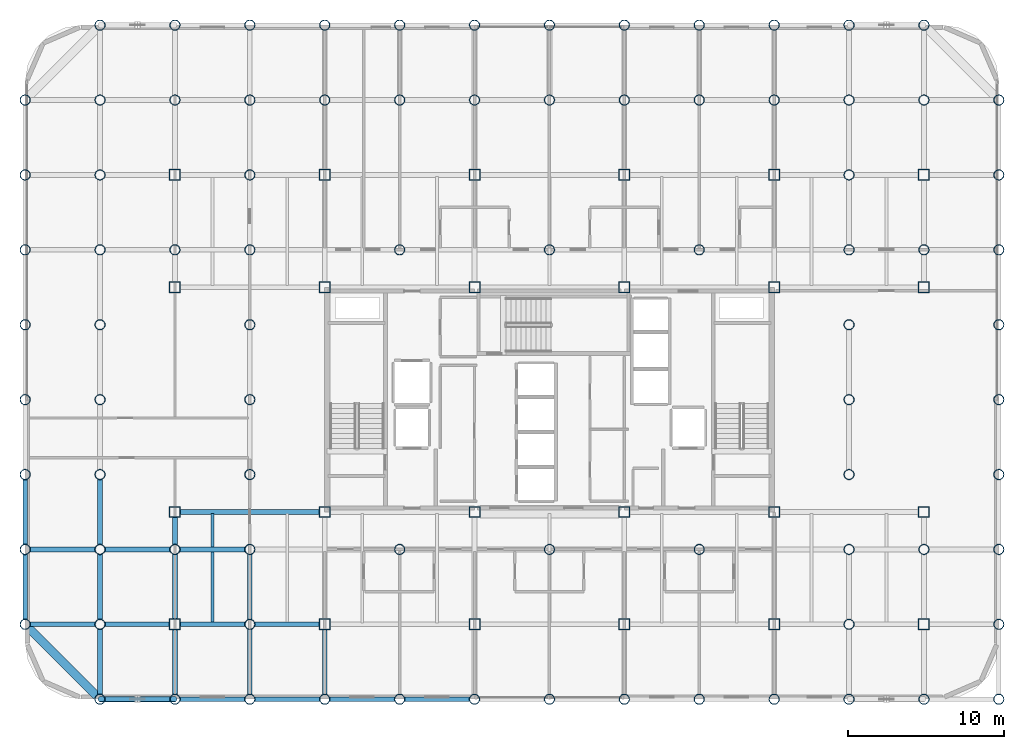
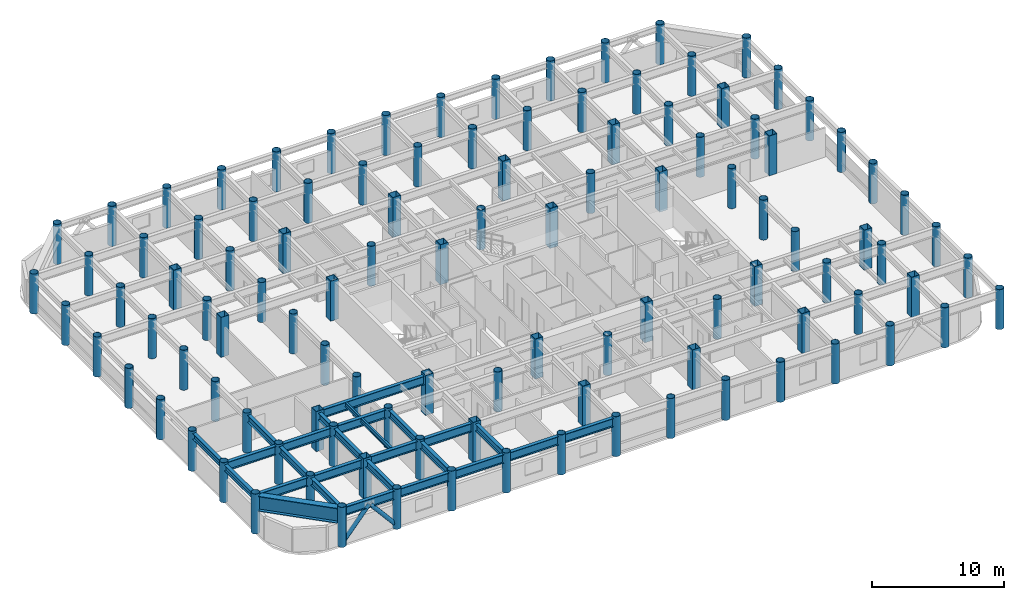
# One storey, part 1 of 20: 108 columns, 26 beams, 2 members.
"""IFC4 building model written with IfcOpenShell, lengths in metres."""

from ifc_helpers import new_model, si_unit, direction, frame, origin, origin_2d, place, context, subcontext, project, spatial, hollow_rectangle, hollow_circle, i_section, extrude, material, material_profile, profile_set, type_object, element, save


model = new_model("IFC4")

# Units and contexts
model_context = context("Model", 3, precision=1e-05, world=origin(), true_north=direction((0.0, 1.0)))
body_context = subcontext(model_context, "Body", "Model", "MODEL_VIEW")
ifc_project = project(units=[si_unit("LENGTHUNIT", "METRE"), si_unit("AREAUNIT", "SQUARE_METRE"), si_unit("VOLUMEUNIT", "CUBIC_METRE"), si_unit("PLANEANGLEUNIT", "RADIAN"), si_unit("MASSUNIT", "GRAM", prefix="KILO")], contexts=[model_context])

# Site, building, storey
site_placement = place(None, origin())
site = spatial("IfcSite", under=ifc_project, at=site_placement, CompositionType="ELEMENT")
building_placement = place(site_placement, origin())
building = spatial("IfcBuilding", under=site, at=building_placement, Name="Kallvorn Hotel Tower", CompositionType="ELEMENT")
storey_placement = place(building_placement, frame((0.0, 0.0, 128.5)))
storey = spatial("IfcBuildingStorey", under=building, at=storey_placement, Name="L31", CompositionType="ELEMENT", Elevation=128.5)

# Columns
ifc_material_1 = material(Name="Structural steel S355J2H", Category="steel")
ifc_material_profile_1 = material_profile(ifc_material_1, hollow_circle(Radius=0.330078125, WallThickness=0.028076171875, at=origin_2d()), Name="CHS 660x28")
ifc_profile_set_1 = profile_set([ifc_material_profile_1], Name="Structural steel S355J2H")
column_type_1 = type_object("IfcColumnType", Name="COL_CHS_660", PredefinedType="COLUMN", material=ifc_profile_set_1)
for number, where, z_axis, x_axis, name in (
    (1, (-33.60009765625, -14.39990234375, 0.0), (0.0, 0.0, 1.0), (1.0, 0.0, 0.0), "L31 Exoskeleton Column EC01"),
    (2, (-33.60009765625, -9.60009765625, 0.0), (0.0, 0.0, 1.0), (1.0, 0.0, 0.0), "L31 Exoskeleton Column EC02"),
    (3, (-33.60009765625, -4.800048828125, 0.0), (0.0, 0.0, 1.0), (1.0, 0.0, 0.0), "L31 Exoskeleton Column EC03"),
    (4, (-33.60009765625, 0.0, 0.0), (0.0, 0.0, 1.0), (1.0, 0.0, 0.0), "L31 Exoskeleton Column EC04"),
    (5, (-33.60009765625, 4.800048828125, 0.0), (0.0, 0.0, 1.0), (1.0, 0.0, 0.0), "L31 Exoskeleton Column EC05"),
    (6, (-33.60009765625, 9.60009765625, 0.0), (0.0, 0.0, 1.0), (1.0, 0.0, 0.0), "L31 Exoskeleton Column EC06"),
    (7, (-33.60009765625, 14.39990234375, 0.0), (0.0, 0.0, 1.0), (1.0, 0.0, 0.0), "L31 Exoskeleton Column EC07"),
    (8, (-33.60009765625, 19.199951171875, 0.0), (0.0, 0.0, 1.0), (1.0, 0.0, 0.0), "L31 Exoskeleton Column EC08"),
    (9, (-28.800048828125, -19.199951171875, 0.0), (0.0, 0.0, 1.0), (1.0, 0.0, 0.0), "L31 Exoskeleton Column EC09"),
    (10, (-28.800048828125, -14.39990234375, 0.0), (0.0, 0.0, 1.0), (1.0, 0.0, 0.0), "L31 Exoskeleton Column EC10"),
    (11, (-28.800048828125, -9.60009765625, 0.0), (0.0, 0.0, 1.0), (1.0, 0.0, 0.0), "L31 Exoskeleton Column EC11"),
    (12, (-28.800048828125, -4.800048828125, 0.0), (0.0, 0.0, 1.0), (1.0, 0.0, 0.0), "L31 Exoskeleton Column EC12"),
    (13, (-28.800048828125, 0.0, 0.0), (0.0, 0.0, 1.0), (1.0, 0.0, 0.0), "L31 Exoskeleton Column EC13"),
    (14, (-28.800048828125, 4.800048828125, 0.0), (0.0, 0.0, 1.0), (1.0, 0.0, 0.0), "L31 Exoskeleton Column EC14"),
    (15, (-28.800048828125, 9.60009765625, 0.0), (0.0, 0.0, 1.0), (1.0, 0.0, 0.0), "L31 Exoskeleton Column EC15"),
    (16, (-28.800048828125, 14.39990234375, 0.0), (0.0, 0.0, 1.0), (1.0, 0.0, 0.0), "L31 Exoskeleton Column EC16"),
    (17, (-28.800048828125, 19.199951171875, 0.0), (0.0, 0.0, 1.0), (1.0, 0.0, 0.0), "L31 Exoskeleton Column EC17"),
    (18, (-28.800048828125, 24.0, 0.0), (0.0, 0.0, 1.0), (1.0, 0.0, 0.0), "L31 Exoskeleton Column EC18"),
    (19, (-24.0, -19.199951171875, 0.0), (0.0, 0.0, 1.0), (1.0, 0.0, 0.0), "L31 Exoskeleton Column EC19"),
    (20, (-24.0, -9.60009765625, 0.0), (0.0, 0.0, 1.0), (1.0, 0.0, 0.0), "L31 Exoskeleton Column EC20"),
    (21, (-24.0, 9.60009765625, 0.0), (0.0, 0.0, 1.0), (1.0, 0.0, 0.0), "L31 Exoskeleton Column EC21"),
    (22, (-24.0, 19.199951171875, 0.0), (0.0, 0.0, 1.0), (1.0, 0.0, 0.0), "L31 Exoskeleton Column EC22"),
    (23, (-24.0, 24.0, 0.0), (0.0, 0.0, 1.0), (1.0, 0.0, 0.0), "L31 Exoskeleton Column EC23"),
    (24, (-19.199951171875, -19.199951171875, 0.0), (0.0, 0.0, 1.0), (1.0, 0.0, 0.0), "L31 Exoskeleton Column EC24"),
    (25, (-19.199951171875, -14.39990234375, 0.0), (0.0, 0.0, 1.0), (1.0, 0.0, 0.0), "L31 Exoskeleton Column EC25"),
    (26, (-19.199951171875, -9.60009765625, 0.0), (0.0, 0.0, 1.0), (1.0, 0.0, 0.0), "L31 Exoskeleton Column EC26"),
    (27, (-19.199951171875, -4.800048828125, 0.0), (0.0, 0.0, 1.0), (1.0, 0.0, 0.0), "L31 Exoskeleton Column EC27"),
    (28, (-19.199951171875, 0.0, 0.0), (0.0, 0.0, 1.0), (1.0, 0.0, 0.0), "L31 Exoskeleton Column EC28"),
    (29, (-19.199951171875, 4.800048828125, 0.0), (0.0, 0.0, 1.0), (1.0, 0.0, 0.0), "L31 Exoskeleton Column EC29"),
    (30, (-19.199951171875, 9.60009765625, 0.0), (0.0, 0.0, 1.0), (1.0, 0.0, 0.0), "L31 Exoskeleton Column EC30"),
    (31, (-19.199951171875, 14.39990234375, 0.0), (0.0, 0.0, 1.0), (1.0, 0.0, 0.0), "L31 Exoskeleton Column EC31"),
    (32, (-19.199951171875, 19.199951171875, 0.0), (0.0, 0.0, 1.0), (1.0, 0.0, 0.0), "L31 Exoskeleton Column EC32"),
    (33, (-19.199951171875, 24.0, 0.0), (0.0, 0.0, 1.0), (1.0, 0.0, 0.0), "L31 Exoskeleton Column EC33"),
    (34, (-14.39990234375, -19.199951171875, 0.0), (0.0, 0.0, 1.0), (1.0, 0.0, 0.0), "L31 Exoskeleton Column EC34"),
    (35, (-14.39990234375, 19.199951171875, 0.0), (0.0, 0.0, 1.0), (1.0, 0.0, 0.0), "L31 Exoskeleton Column EC35"),
    (36, (-14.39990234375, 24.0, 0.0), (0.0, 0.0, 1.0), (1.0, 0.0, 0.0), "L31 Exoskeleton Column EC36"),
    (37, (-9.60009765625, -19.199951171875, 0.0), (0.0, 0.0, 1.0), (1.0, 0.0, 0.0), "L31 Exoskeleton Column EC37"),
    (38, (-9.60009765625, -9.60009765625, 0.0), (0.0, 0.0, 1.0), (1.0, 0.0, 0.0), "L31 Exoskeleton Column EC38"),
    (39, (-9.60009765625, 9.60009765625, 0.0), (0.0, 0.0, 1.0), (1.0, 0.0, 0.0), "L31 Exoskeleton Column EC39"),
    (40, (-9.60009765625, 19.199951171875, 0.0), (0.0, 0.0, 1.0), (1.0, 0.0, 0.0), "L31 Exoskeleton Column EC40"),
    (41, (-9.60009765625, 24.0, 0.0), (0.0, 0.0, 1.0), (1.0, 0.0, 0.0), "L31 Exoskeleton Column EC41"),
    (42, (-4.800048828125, -19.199951171875, 0.0), (0.0, 0.0, 1.0), (1.0, 0.0, 0.0), "L31 Exoskeleton Column EC42"),
    (43, (-4.800048828125, 19.199951171875, 0.0), (0.0, 0.0, 1.0), (1.0, 0.0, 0.0), "L31 Exoskeleton Column EC43"),
    (44, (-4.800048828125, 24.0, 0.0), (0.0, 0.0, 1.0), (1.0, 0.0, 0.0), "L31 Exoskeleton Column EC44"),
    (45, (0.0, -19.199951171875, 0.0), (0.0, 0.0, 1.0), (1.0, 0.0, 0.0), "L31 Exoskeleton Column EC45"),
    (46, (0.0, -9.60009765625, 0.0), (0.0, 0.0, 1.0), (1.0, 0.0, 0.0), "L31 Exoskeleton Column EC46"),
    (47, (0.0, 9.60009765625, 0.0), (0.0, 0.0, 1.0), (1.0, 0.0, 0.0), "L31 Exoskeleton Column EC47"),
    (48, (0.0, 19.199951171875, 0.0), (0.0, 0.0, 1.0), (1.0, 0.0, 0.0), "L31 Exoskeleton Column EC48"),
    (49, (0.0, 24.0, 0.0), (0.0, 0.0, 1.0), (1.0, 0.0, 0.0), "L31 Exoskeleton Column EC49"),
    (50, (4.800048828125, -19.199951171875, 0.0), (0.0, 0.0, 1.0), (1.0, 0.0, 0.0), "L31 Exoskeleton Column EC50"),
    (51, (4.800048828125, 19.199951171875, 0.0), (0.0, 0.0, 1.0), (1.0, 0.0, 0.0), "L31 Exoskeleton Column EC51"),
    (52, (4.800048828125, 24.0, 0.0), (0.0, 0.0, 1.0), (1.0, 0.0, 0.0), "L31 Exoskeleton Column EC52"),
    (53, (9.60009765625, -19.199951171875, 0.0), (0.0, 0.0, 1.0), (1.0, 0.0, 0.0), "L31 Exoskeleton Column EC53"),
    (54, (9.60009765625, -9.60009765625, 0.0), (0.0, 0.0, 1.0), (1.0, 0.0, 0.0), "L31 Exoskeleton Column EC54"),
    (55, (9.60009765625, 9.60009765625, 0.0), (0.0, 0.0, 1.0), (1.0, 0.0, 0.0), "L31 Exoskeleton Column EC55"),
    (56, (9.60009765625, 19.199951171875, 0.0), (0.0, 0.0, 1.0), (1.0, 0.0, 0.0), "L31 Exoskeleton Column EC56"),
    (57, (9.60009765625, 24.0, 0.0), (0.0, 0.0, 1.0), (1.0, 0.0, 0.0), "L31 Exoskeleton Column EC57"),
    (58, (14.39990234375, -19.199951171875, 0.0), (0.0, 0.0, 1.0), (1.0, 0.0, 0.0), "L31 Exoskeleton Column EC58"),
    (59, (14.39990234375, 19.199951171875, 0.0), (0.0, 0.0, 1.0), (1.0, 0.0, 0.0), "L31 Exoskeleton Column EC59"),
    (60, (14.39990234375, 24.0, 0.0), (0.0, 0.0, 1.0), (1.0, 0.0, 0.0), "L31 Exoskeleton Column EC60"),
    (61, (19.199951171875, -19.199951171875, 0.0), (0.0, 0.0, 1.0), (1.0, 0.0, 0.0), "L31 Exoskeleton Column EC61"),
    (62, (19.199951171875, -14.39990234375, 0.0), (0.0, 0.0, 1.0), (1.0, 0.0, 0.0), "L31 Exoskeleton Column EC62"),
    (63, (19.199951171875, -9.60009765625, 0.0), (0.0, 0.0, 1.0), (1.0, 0.0, 0.0), "L31 Exoskeleton Column EC63"),
    (64, (19.199951171875, -4.800048828125, 0.0), (0.0, 0.0, 1.0), (1.0, 0.0, 0.0), "L31 Exoskeleton Column EC64"),
    (65, (19.199951171875, 0.0, 0.0), (0.0, 0.0, 1.0), (1.0, 0.0, 0.0), "L31 Exoskeleton Column EC65"),
    (66, (19.199951171875, 4.800048828125, 0.0), (0.0, 0.0, 1.0), (1.0, 0.0, 0.0), "L31 Exoskeleton Column EC66"),
    (67, (19.199951171875, 9.60009765625, 0.0), (0.0, 0.0, 1.0), (1.0, 0.0, 0.0), "L31 Exoskeleton Column EC67"),
    (68, (19.199951171875, 14.39990234375, 0.0), (0.0, 0.0, 1.0), (1.0, 0.0, 0.0), "L31 Exoskeleton Column EC68"),
    (69, (19.199951171875, 19.199951171875, 0.0), (0.0, 0.0, 1.0), (1.0, 0.0, 0.0), "L31 Exoskeleton Column EC69"),
    (70, (19.199951171875, 24.0, 0.0), (0.0, 0.0, 1.0), (1.0, 0.0, 0.0), "L31 Exoskeleton Column EC70"),
    (71, (24.0, -19.199951171875, 0.0), (0.0, 0.0, 1.0), (1.0, 0.0, 0.0), "L31 Exoskeleton Column EC71"),
    (72, (24.0, -9.60009765625, 0.0), (0.0, 0.0, 1.0), (1.0, 0.0, 0.0), "L31 Exoskeleton Column EC72"),
    (73, (24.0, 9.60009765625, 0.0), (0.0, 0.0, 1.0), (1.0, 0.0, 0.0), "L31 Exoskeleton Column EC73"),
    (74, (24.0, 19.199951171875, 0.0), (0.0, 0.0, 1.0), (1.0, 0.0, 0.0), "L31 Exoskeleton Column EC74"),
    (75, (24.0, 24.0, 0.0), (0.0, 0.0, 1.0), (1.0, 0.0, 0.0), "L31 Exoskeleton Column EC75"),
    (76, (28.800048828125, -19.199951171875, 0.0), (0.0, 0.0, 1.0), (1.0, 0.0, 0.0), "L31 Exoskeleton Column EC76"),
    (77, (28.800048828125, -14.39990234375, 0.0), (0.0, 0.0, 1.0), (1.0, 0.0, 0.0), "L31 Exoskeleton Column EC77"),
    (78, (28.800048828125, -9.60009765625, 0.0), (0.0, 0.0, 1.0), (1.0, 0.0, 0.0), "L31 Exoskeleton Column EC78"),
    (79, (28.800048828125, -4.800048828125, 0.0), (0.0, 0.0, 1.0), (1.0, 0.0, 0.0), "L31 Exoskeleton Column EC79"),
    (80, (28.800048828125, 0.0, 0.0), (0.0, 0.0, 1.0), (1.0, 0.0, 0.0), "L31 Exoskeleton Column EC80"),
    (81, (28.800048828125, 4.800048828125, 0.0), (0.0, 0.0, 1.0), (1.0, 0.0, 0.0), "L31 Exoskeleton Column EC81"),
    (82, (28.800048828125, 9.60009765625, 0.0), (0.0, 0.0, 1.0), (1.0, 0.0, 0.0), "L31 Exoskeleton Column EC82"),
    (83, (28.800048828125, 14.39990234375, 0.0), (0.0, 0.0, 1.0), (1.0, 0.0, 0.0), "L31 Exoskeleton Column EC83"),
    (84, (28.800048828125, 19.199951171875, 0.0), (0.0, 0.0, 1.0), (1.0, 0.0, 0.0), "L31 Exoskeleton Column EC84"),
):
    element("IfcColumn", number, at=place(storey_placement, frame(where, z_axis=z_axis, x_axis=x_axis)), inside=storey, type_object=column_type_1, Name=name, PredefinedType="COLUMN", context=body_context, shape_type="SweptSolid", body=[
        extrude(hollow_circle(Radius=0.330078125, WallThickness=0.028076171875, at=origin_2d()), origin(), (0.0, 0.0, 1.0), 3.699951171875),
    ])
ifc_material_2 = material(Name="Structural steel S355J2H", Category="steel")
ifc_material_profile_2 = material_profile(ifc_material_2, hollow_rectangle(XDim=0.699951171875, YDim=0.699951171875, WallThickness=0.031982421875, at=origin_2d()), Name="RHS 700x700x32")
ifc_profile_set_2 = profile_set([ifc_material_profile_2], Name="Structural steel S355J2H")
column_type_2 = type_object("IfcColumnType", Name="COL_RHS_700", PredefinedType="COLUMN", material=ifc_profile_set_2)
for number, where, z_axis, x_axis, name in (
    (85, (-24.0, -14.39990234375, 0.0), (0.0, 0.0, 1.0), (1.0, 0.0, 0.0), "L31 Inner Column IC01"),
    (86, (-24.0, -7.199951171875, 0.0), (0.0, 0.0, 1.0), (1.0, 0.0, 0.0), "L31 Inner Column IC02"),
    (87, (-24.0, 7.199951171875, 0.0), (0.0, 0.0, 1.0), (1.0, 0.0, 0.0), "L31 Inner Column IC03"),
    (88, (-24.0, 14.39990234375, 0.0), (0.0, 0.0, 1.0), (1.0, 0.0, 0.0), "L31 Inner Column IC04"),
    (89, (-14.39990234375, -14.39990234375, 0.0), (0.0, 0.0, 1.0), (1.0, 0.0, 0.0), "L31 Inner Column IC05"),
    (90, (-14.39990234375, -7.199951171875, 0.0), (0.0, 0.0, 1.0), (1.0, 0.0, 0.0), "L31 Inner Column IC06"),
    (91, (-14.39990234375, 7.199951171875, 0.0), (0.0, 0.0, 1.0), (1.0, 0.0, 0.0), "L31 Inner Column IC07"),
    (92, (-14.39990234375, 14.39990234375, 0.0), (0.0, 0.0, 1.0), (1.0, 0.0, 0.0), "L31 Inner Column IC08"),
    (93, (-4.800048828125, -14.39990234375, 0.0), (0.0, 0.0, 1.0), (1.0, 0.0, 0.0), "L31 Inner Column IC09"),
    (94, (-4.800048828125, -7.199951171875, 0.0), (0.0, 0.0, 1.0), (1.0, 0.0, 0.0), "L31 Inner Column IC10"),
    (95, (-4.800048828125, 7.199951171875, 0.0), (0.0, 0.0, 1.0), (1.0, 0.0, 0.0), "L31 Inner Column IC11"),
    (96, (-4.800048828125, 14.39990234375, 0.0), (0.0, 0.0, 1.0), (1.0, 0.0, 0.0), "L31 Inner Column IC12"),
    (97, (4.800048828125, -14.39990234375, 0.0), (0.0, 0.0, 1.0), (1.0, 0.0, 0.0), "L31 Inner Column IC13"),
    (98, (4.800048828125, -7.199951171875, 0.0), (0.0, 0.0, 1.0), (1.0, 0.0, 0.0), "L31 Inner Column IC14"),
    (99, (4.800048828125, 7.199951171875, 0.0), (0.0, 0.0, 1.0), (1.0, 0.0, 0.0), "L31 Inner Column IC15"),
    (100, (4.800048828125, 14.39990234375, 0.0), (0.0, 0.0, 1.0), (1.0, 0.0, 0.0), "L31 Inner Column IC16"),
    (101, (14.39990234375, -14.39990234375, 0.0), (0.0, 0.0, 1.0), (1.0, 0.0, 0.0), "L31 Inner Column IC17"),
    (102, (14.39990234375, -7.199951171875, 0.0), (0.0, 0.0, 1.0), (1.0, 0.0, 0.0), "L31 Inner Column IC18"),
    (103, (14.39990234375, 7.199951171875, 0.0), (0.0, 0.0, 1.0), (1.0, 0.0, 0.0), "L31 Inner Column IC19"),
    (104, (14.39990234375, 14.39990234375, 0.0), (0.0, 0.0, 1.0), (1.0, 0.0, 0.0), "L31 Inner Column IC20"),
    (105, (24.0, -14.39990234375, 0.0), (0.0, 0.0, 1.0), (1.0, 0.0, 0.0), "L31 Inner Column IC21"),
    (106, (24.0, -7.199951171875, 0.0), (0.0, 0.0, 1.0), (1.0, 0.0, 0.0), "L31 Inner Column IC22"),
    (107, (24.0, 7.199951171875, 0.0), (0.0, 0.0, 1.0), (1.0, 0.0, 0.0), "L31 Inner Column IC23"),
    (108, (24.0, 14.39990234375, 0.0), (0.0, 0.0, 1.0), (1.0, 0.0, 0.0), "L31 Inner Column IC24"),
):
    element("IfcColumn", number, at=place(storey_placement, frame(where, z_axis=z_axis, x_axis=x_axis)), inside=storey, type_object=column_type_2, Name=name, PredefinedType="COLUMN", context=body_context, shape_type="SweptSolid", body=[
        extrude(hollow_rectangle(XDim=0.699951171875, YDim=0.699951171875, WallThickness=0.031982421875, at=origin_2d()), origin(), (0.0, 0.0, 1.0), 3.699951171875),
    ])

# Beams
ifc_material_3 = material(Name="Structural steel S355JR", Category="steel")
ifc_material_profile_3 = material_profile(ifc_material_3, i_section(OverallWidth=0.300048828125, OverallDepth=0.550048828125, WebThickness=0.014892578125, FlangeThickness=0.029052734375, at=origin_2d()), Name="HE 550 B")
ifc_profile_set_3 = profile_set([ifc_material_profile_3], Name="Structural steel S355JR")
beam_type_1 = type_object("IfcBeamType", Name="BM_HE550B", PredefinedType="SPANDREL", material=ifc_profile_set_3)
beam_1_placement = place(storey_placement, frame((-33.60009765625, -14.080078125, 3.2451171875), z_axis=(0.0, 1.0, 0.0), x_axis=(-1.0, 0.0, 0.0)))
element("IfcBeam", 109, at=beam_1_placement, inside=storey, type_object=beam_type_1, Name="L32 Perimeter Spandrel 174", PredefinedType="SPANDREL", context=body_context, shape_type="SweptSolid", body=[
    extrude(i_section(OverallWidth=0.300048828125, OverallDepth=0.550048828125, WebThickness=0.014892578125, FlangeThickness=0.029052734375, at=origin_2d()), origin(), (0.0, 0.0, 1.0), 4.16015625),
])
beam_2_placement = place(storey_placement, frame((-33.60009765625, -9.280029296875, 3.2451171875), z_axis=(0.0, 1.0, 0.0), x_axis=(-1.0, 0.0, 0.0)))
element("IfcBeam", 110, at=beam_2_placement, inside=storey, type_object=beam_type_1, Name="L32 Perimeter Spandrel 175", PredefinedType="SPANDREL", context=body_context, shape_type="SweptSolid", body=[
    extrude(i_section(OverallWidth=0.300048828125, OverallDepth=0.550048828125, WebThickness=0.014892578125, FlangeThickness=0.029052734375, at=origin_2d()), origin(), (0.0, 0.0, 1.0), 4.159912109375),
])
ifc_material_4 = material(Name="Structural steel S355JR", Category="steel")
ifc_material_profile_4 = material_profile(ifc_material_4, i_section(OverallWidth=0.300048828125, OverallDepth=0.64990234375, WebThickness=0.01611328125, FlangeThickness=0.031005859375, at=origin_2d()), Name="HE 650 B")
ifc_profile_set_4 = profile_set([ifc_material_profile_4], Name="Structural steel S355JR")
beam_type_2 = type_object("IfcBeamType", Name="BM_HE650B", PredefinedType="BEAM", material=ifc_profile_set_4)
for number, where, z_axis, x_axis, name in (
    (111, (-28.800048828125, -18.89501953125, 3.195068359375), (0.0, 1.0, 0.0), (-1.0, 0.0, 0.0), "L32 Primary Y-Girder 73"),
    (112, (-28.800048828125, -14.094970703125, 3.195068359375), (0.0, 1.0, 0.0), (-1.0, 0.0, 0.0), "L32 Primary Y-Girder 74"),
    (113, (-28.800048828125, -9.294921875, 3.195068359375), (0.0, 1.0, 0.0), (-1.0, 0.0, 0.0), "L32 Primary Y-Girder 75"),
):
    element("IfcBeam", number, at=place(storey_placement, frame(where, z_axis=z_axis, x_axis=x_axis)), inside=storey, type_object=beam_type_2, Name=name, PredefinedType="BEAM", context=body_context, shape_type="SweptSolid", body=[
        extrude(i_section(OverallWidth=0.300048828125, OverallDepth=0.64990234375, WebThickness=0.01611328125, FlangeThickness=0.031005859375, at=origin_2d()), origin(), (0.0, 0.0, 1.0), 4.18994140625),
    ])
for number, where, z_axis, x_axis, name in (
    (114, (-24.0, -18.89501953125, 3.195068359375), (0.0, 1.0, 0.0), (-1.0, 0.0, 0.0), "L32 Primary Y-Girder 82"),
    (115, (-24.0, -14.074951171875, 3.195068359375), (0.0, 1.0, 0.0), (-1.0, 0.0, 0.0), "L32 Primary Y-Girder 83"),
):
    element("IfcBeam", number, at=place(storey_placement, frame(where, z_axis=z_axis, x_axis=x_axis)), inside=storey, type_object=beam_type_2, Name=name, PredefinedType="BEAM", context=body_context, shape_type="SweptSolid", body=[
        extrude(i_section(OverallWidth=0.300048828125, OverallDepth=0.64990234375, WebThickness=0.01611328125, FlangeThickness=0.031005859375, at=origin_2d()), origin(), (0.0, 0.0, 1.0), 4.169921875),
    ])
beam_3_placement = place(storey_placement, frame((-24.0, -9.294921875, 3.195068359375), z_axis=(0.0, 1.0, 0.0), x_axis=(-1.0, 0.0, 0.0)))
element("IfcBeam", 116, at=beam_3_placement, inside=storey, type_object=beam_type_2, Name="L32 Primary Y-Girder 84", PredefinedType="BEAM", context=body_context, shape_type="SweptSolid", body=[
    extrude(i_section(OverallWidth=0.300048828125, OverallDepth=0.64990234375, WebThickness=0.01611328125, FlangeThickness=0.031005859375, at=origin_2d()), origin(), (0.0, 0.0, 1.0), 1.77001953125),
])
for number, where, z_axis, x_axis, name in (
    (117, (-19.199951171875, -18.89501953125, 3.195068359375), (0.0, 1.0, 0.0), (-1.0, 0.0, 0.0), "L32 Primary Y-Girder 89"),
    (118, (-19.199951171875, -14.094970703125, 3.195068359375), (0.0, 1.0, 0.0), (-1.0, 0.0, 0.0), "L32 Primary Y-Girder 90"),
):
    element("IfcBeam", number, at=place(storey_placement, frame(where, z_axis=z_axis, x_axis=x_axis)), inside=storey, type_object=beam_type_2, Name=name, PredefinedType="BEAM", context=body_context, shape_type="SweptSolid", body=[
        extrude(i_section(OverallWidth=0.300048828125, OverallDepth=0.64990234375, WebThickness=0.01611328125, FlangeThickness=0.031005859375, at=origin_2d()), origin(), (0.0, 0.0, 1.0), 4.18994140625),
    ])
beam_4_placement = place(storey_placement, frame((-14.39990234375, -18.89501953125, 3.195068359375), z_axis=(0.0, 1.0, 0.0), x_axis=(-1.0, 0.0, 0.0)))
element("IfcBeam", 119, at=beam_4_placement, inside=storey, type_object=beam_type_2, Name="L32 Primary Y-Girder 98", PredefinedType="BEAM", context=body_context, shape_type="SweptSolid", body=[
    extrude(i_section(OverallWidth=0.300048828125, OverallDepth=0.64990234375, WebThickness=0.01611328125, FlangeThickness=0.031005859375, at=origin_2d()), origin(), (0.0, 0.0, 1.0), 4.169921875),
])
ifc_material_5 = material(Name="Structural steel S355JR", Category="steel")
ifc_material_profile_5 = material_profile(ifc_material_5, i_section(OverallWidth=0.300048828125, OverallDepth=0.800048828125, WebThickness=0.017578125, FlangeThickness=0.032958984375, at=origin_2d()), Name="HE 800 B")
ifc_profile_set_5 = profile_set([ifc_material_profile_5], Name="Structural steel S355JR")
beam_type_3 = type_object("IfcBeamType", Name="BM_HE800B", PredefinedType="BEAM", material=ifc_profile_set_5)
for number, where, z_axis, x_axis, name in (
    (120, (-28.4951171875, -19.199951171875, 3.1201171875), (1.0, 0.0, 0.0), (0.0, 1.0, 0.0), "L32 Primary X-Girder 01"),
    (121, (-23.695068359375, -19.199951171875, 3.1201171875), (1.0, 0.0, 0.0), (0.0, 1.0, 0.0), "L32 Primary X-Girder 02"),
):
    element("IfcBeam", number, at=place(storey_placement, frame(where, z_axis=z_axis, x_axis=x_axis)), inside=storey, type_object=beam_type_3, Name=name, PredefinedType="BEAM", context=body_context, shape_type="SweptSolid", body=[
        extrude(i_section(OverallWidth=0.300048828125, OverallDepth=0.800048828125, WebThickness=0.017578125, FlangeThickness=0.032958984375, at=origin_2d()), origin(), (0.0, 0.0, 1.0), 4.190185546875),
    ])
for number, where, z_axis, x_axis, name in (
    (122, (-18.89501953125, -19.199951171875, 3.1201171875), (1.0, 0.0, 0.0), (0.0, 1.0, 0.0), "L32 Primary X-Girder 03"),
    (123, (-14.094970703125, -19.199951171875, 3.1201171875), (1.0, 0.0, 0.0), (0.0, 1.0, 0.0), "L32 Primary X-Girder 04"),
    (124, (-9.294921875, -19.199951171875, 3.1201171875), (1.0, 0.0, 0.0), (0.0, 1.0, 0.0), "L32 Primary X-Girder 05"),
    (125, (-33.294921875, -14.39990234375, 3.1201171875), (1.0, 0.0, 0.0), (0.0, 1.0, 0.0), "L32 Primary X-Girder 13"),
):
    element("IfcBeam", number, at=place(storey_placement, frame(where, z_axis=z_axis, x_axis=x_axis)), inside=storey, type_object=beam_type_3, Name=name, PredefinedType="BEAM", context=body_context, shape_type="SweptSolid", body=[
        extrude(i_section(OverallWidth=0.300048828125, OverallDepth=0.800048828125, WebThickness=0.017578125, FlangeThickness=0.032958984375, at=origin_2d()), origin(), (0.0, 0.0, 1.0), 4.18994140625),
    ])
for number, where, z_axis, x_axis, name in (
    (126, (-28.4951171875, -14.39990234375, 3.1201171875), (1.0, 0.0, 0.0), (0.0, 1.0, 0.0), "L32 Primary X-Girder 14"),
    (127, (-23.675048828125, -14.39990234375, 3.1201171875), (1.0, 0.0, 0.0), (0.0, 1.0, 0.0), "L32 Primary X-Girder 15"),
):
    element("IfcBeam", number, at=place(storey_placement, frame(where, z_axis=z_axis, x_axis=x_axis)), inside=storey, type_object=beam_type_3, Name=name, PredefinedType="BEAM", context=body_context, shape_type="SweptSolid", body=[
        extrude(i_section(OverallWidth=0.300048828125, OverallDepth=0.800048828125, WebThickness=0.017578125, FlangeThickness=0.032958984375, at=origin_2d()), origin(), (0.0, 0.0, 1.0), 4.170166015625),
    ])
beam_5_placement = place(storey_placement, frame((-18.89501953125, -14.39990234375, 3.1201171875), z_axis=(1.0, 0.0, 0.0), x_axis=(0.0, 1.0, 0.0)))
element("IfcBeam", 128, at=beam_5_placement, inside=storey, type_object=beam_type_3, Name="L32 Primary X-Girder 16", PredefinedType="BEAM", context=body_context, shape_type="SweptSolid", body=[
    extrude(i_section(OverallWidth=0.300048828125, OverallDepth=0.800048828125, WebThickness=0.017578125, FlangeThickness=0.032958984375, at=origin_2d()), origin(), (0.0, 0.0, 1.0), 4.169921875),
])
beam_6_placement = place(storey_placement, frame((-33.294921875, -9.60009765625, 3.1201171875), z_axis=(1.0, 0.0, 0.0), x_axis=(0.0, 1.0, 0.0)))
element("IfcBeam", 129, at=beam_6_placement, inside=storey, type_object=beam_type_3, Name="L32 Primary X-Girder 23", PredefinedType="BEAM", context=body_context, shape_type="SweptSolid", body=[
    extrude(i_section(OverallWidth=0.300048828125, OverallDepth=0.800048828125, WebThickness=0.017578125, FlangeThickness=0.032958984375, at=origin_2d()), origin(), (0.0, 0.0, 1.0), 4.18994140625),
])
for number, where, z_axis, x_axis, name in (
    (130, (-28.4951171875, -9.60009765625, 3.1201171875), (1.0, 0.0, 0.0), (0.0, 1.0, 0.0), "L32 Primary X-Girder 24"),
    (131, (-23.695068359375, -9.60009765625, 3.1201171875), (1.0, 0.0, 0.0), (0.0, 1.0, 0.0), "L32 Primary X-Girder 25"),
):
    element("IfcBeam", number, at=place(storey_placement, frame(where, z_axis=z_axis, x_axis=x_axis)), inside=storey, type_object=beam_type_3, Name=name, PredefinedType="BEAM", context=body_context, shape_type="SweptSolid", body=[
        extrude(i_section(OverallWidth=0.300048828125, OverallDepth=0.800048828125, WebThickness=0.017578125, FlangeThickness=0.032958984375, at=origin_2d()), origin(), (0.0, 0.0, 1.0), 4.190185546875),
    ])
beam_7_placement = place(storey_placement, frame((-23.675048828125, -7.199951171875, 3.1201171875), z_axis=(1.0, 0.0, 0.0), x_axis=(0.0, 1.0, 0.0)))
element("IfcBeam", 132, at=beam_7_placement, inside=storey, type_object=beam_type_3, Name="L32 Primary X-Girder 32", PredefinedType="BEAM", context=body_context, shape_type="SweptSolid", body=[
    extrude(i_section(OverallWidth=0.300048828125, OverallDepth=0.800048828125, WebThickness=0.017578125, FlangeThickness=0.032958984375, at=origin_2d()), origin(), (0.0, 0.0, 1.0), 8.949951171875),
])
ifc_material_6 = material(Name="Structural steel S355JR", Category="steel")
ifc_material_profile_6 = material_profile(ifc_material_6, i_section(OverallWidth=0.179931640625, OverallDepth=0.39990234375, WebThickness=0.008544921875, FlangeThickness=0.013427734375, at=origin_2d()), Name="IPE 400")
ifc_profile_set_6 = profile_set([ifc_material_profile_6], Name="Structural steel S355JR")
beam_type_4 = type_object("IfcBeamType", Name="BM_IPE400", PredefinedType="JOIST", material=ifc_profile_set_6)
beam_8_placement = place(storey_placement, frame((-21.60009765625, -14.300048828125, 3.320068359375), z_axis=(0.0, 1.0, 0.0), x_axis=(-1.0, 0.0, 0.0)))
element("IfcBeam", 133, at=beam_8_placement, inside=storey, type_object=beam_type_4, Name="L32 Secondary Composite Joist 192", PredefinedType="JOIST", context=body_context, shape_type="SweptSolid", body=[
    extrude(i_section(OverallWidth=0.179931640625, OverallDepth=0.39990234375, WebThickness=0.008544921875, FlangeThickness=0.013427734375, at=origin_2d()), origin(), (0.0, 0.0, 1.0), 7.0),
])
ifc_material_7 = material(Name="Structural steel S355JR", Category="steel")
ifc_material_profile_7 = material_profile(ifc_material_7, i_section(OverallWidth=0.550048828125, OverallDepth=1.39990234375, WebThickness=0.02490234375, FlangeThickness=0.044921875, at=origin_2d()), Name="PG 1400x550x25x45")
ifc_profile_set_7 = profile_set([ifc_material_profile_7], Name="Structural steel S355JR")
beam_type_5 = type_object("IfcBeamType", Name="BM_PG_1400", PredefinedType="BEAM", material=ifc_profile_set_7)
beam_9_placement = place(storey_placement, frame((-33.373779296875, -14.626220703125, 2.820068359375), z_axis=(0.707106781187, -0.707106781187, 0.0), x_axis=(0.707106781187, 0.707106781187, 0.0)))
element("IfcBeam", 134, at=beam_9_placement, inside=storey, type_object=beam_type_5, Name="L32 Rounded Corner Tie Beam 189", PredefinedType="BEAM", context=body_context, shape_type="SweptSolid", body=[
    extrude(i_section(OverallWidth=0.550048828125, OverallDepth=1.39990234375, WebThickness=0.02490234375, FlangeThickness=0.044921875, at=origin_2d()), origin(), (0.0, 0.0, 1.0), 6.148193359375),
])

# Members
ifc_material_8 = material(Name="Structural steel S355J2H", Category="steel")
ifc_material_profile_8 = material_profile(ifc_material_8, hollow_circle(Radius=0.177734375, WallThickness=0.01416015625, at=origin_2d()), Name="CHS 355.6x14.2")
ifc_profile_set_8 = profile_set([ifc_material_profile_8], Name="Structural steel S355J2H")
member_type = type_object("IfcMemberType", Name="MBR_EXO_CHS355", PredefinedType="BRACE", material=ifc_profile_set_8)
for number, where, z_axis, x_axis, name in (
    (135, (-28.787109375, -19.199951171875, 0.1953125), (0.646833296797, 0.0, 0.762631422218), (0.0, 1.0, 0.0), "L31 Exoskeleton K-Brace S1A"),
    (136, (-24.012939453125, -19.199951171875, 0.1953125), (-0.646833296797, 0.0, 0.762631422218), (0.0, -1.0, 0.0), "L31 Exoskeleton K-Brace S1B"),
):
    element("IfcMember", number, at=place(storey_placement, frame(where, z_axis=z_axis, x_axis=x_axis)), inside=storey, type_object=member_type, Name=name, PredefinedType="BRACE", context=body_context, shape_type="SweptSolid", body=[
        extrude(hollow_circle(Radius=0.177734375, WallThickness=0.01416015625, at=origin_2d()), origin(), (0.0, 0.0, 1.0), 3.670654296875),
    ])

save(model, "model.ifc")
